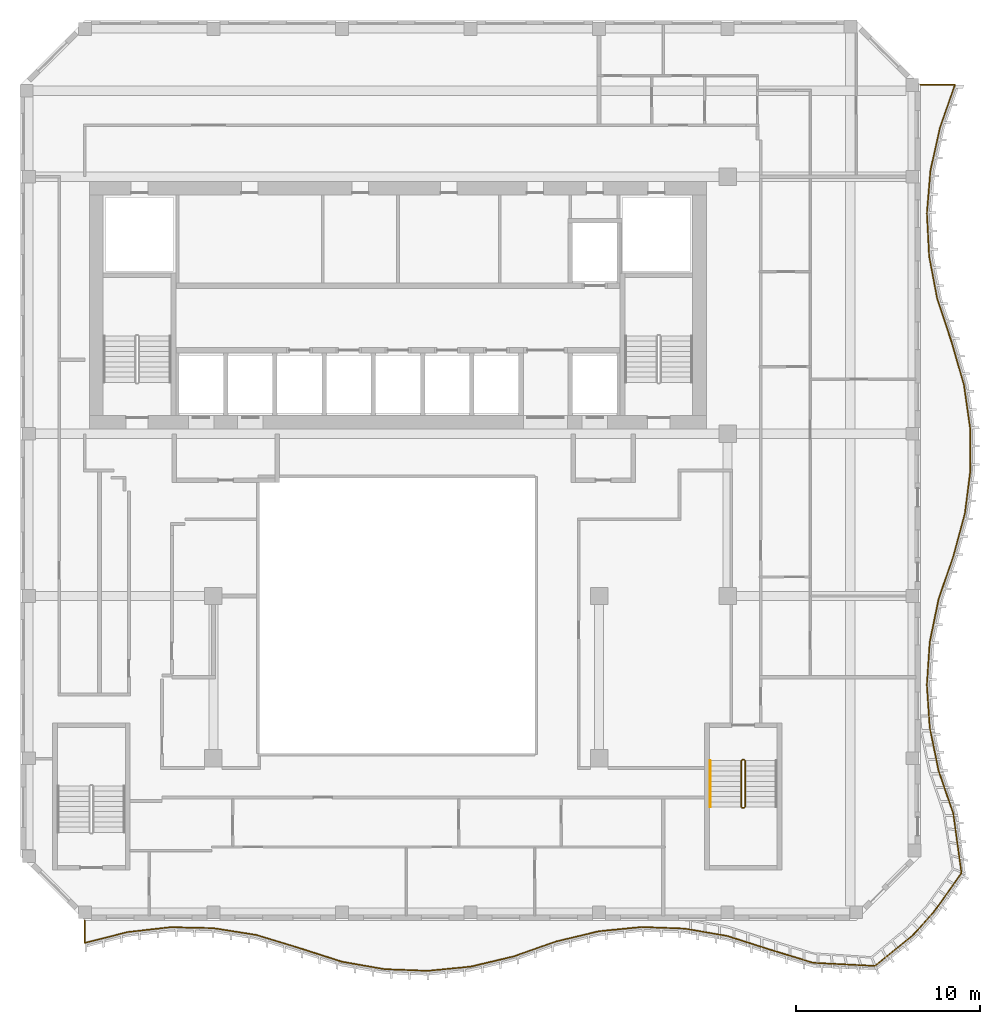
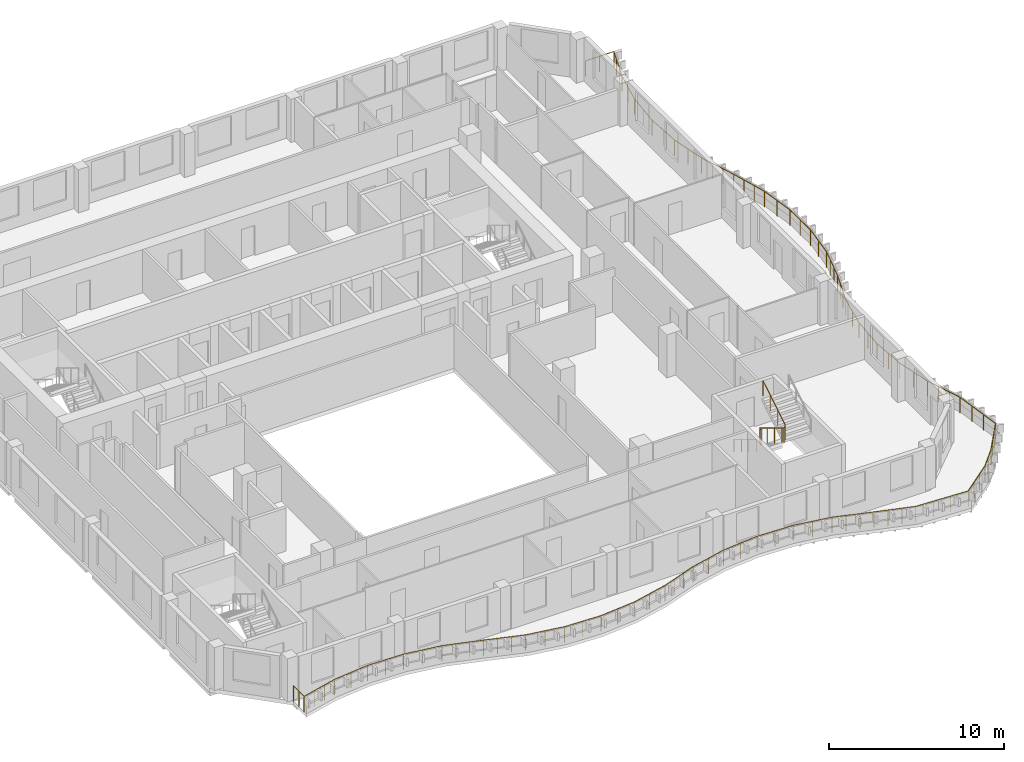
# One storey, part 12 of 13: 3 railings.
"""IFC4 building model written with IfcOpenShell, lengths in metres."""

from ifc_helpers import new_model, si_unit, direction, frame, origin, origin_2d, place, context, subcontext, project, spatial, circle, extrude, material, type_object, element, save


model = new_model("IFC4")

# Units and contexts
model_context = context("Model", 3, precision=1e-05, world=origin(), true_north=direction((0.0, 1.0)))
body_context = subcontext(model_context, "Body", "Model", "MODEL_VIEW")
ifc_project = project(units=[si_unit("LENGTHUNIT", "METRE"), si_unit("AREAUNIT", "SQUARE_METRE"), si_unit("VOLUMEUNIT", "CUBIC_METRE"), si_unit("PLANEANGLEUNIT", "RADIAN"), si_unit("MASSUNIT", "GRAM", prefix="KILO")], contexts=[model_context])

# Site, building, storey
site_placement = place(None, origin())
site = spatial("IfcSite", under=ifc_project, at=site_placement, CompositionType="ELEMENT")
building_placement = place(site_placement, origin())
building = spatial("IfcBuilding", under=site, at=building_placement, Name="Kilnfold Tower and Market Hall", CompositionType="ELEMENT")
storey_placement = place(building_placement, frame((0.0, 0.0, 259.39990234375)))
storey = spatial("IfcBuildingStorey", under=building, at=storey_placement, Name="L63", CompositionType="ELEMENT", Elevation=259.39990234375)

# Railings
ifc_material_1 = material(Name="Stainless steel 316", Category="steel")
railing_type_1 = type_object("IfcRailingType", Name="CORE STAIR GUARD 1100", PredefinedType="GUARDRAIL", material=ifc_material_1)
railing_1_placement = place(storey_placement, frame((19.89990234375, -9.75, 0.0)))
element("IfcRailing", 1, at=railing_1_placement, inside=storey, type_object=railing_type_1, Name="L63 ST4 stair guard 1", PredefinedType="GUARDRAIL", context=body_context, shape_type="SweptSolid", body=[
    extrude(circle(Radius=0.02392578125, at=origin_2d()), frame((0.0, 0.0, 1.076171875), z_axis=(-1.0, 0.0, 0.0), x_axis=(0.0, -1.0, 0.0)), (0.0, 0.0, 1.0), 0.099853515625),
    extrude(circle(Radius=0.02392578125, at=origin_2d()), frame((-0.099853515625, 0.0, 1.076171875), z_axis=(-0.271562723297, -0.271562723297, 0.923313259209), x_axis=(0.707106781187, -0.707106781187, 0.0)), (0.0, 0.0, 1.0), 0.184326171875),
    extrude(circle(Radius=0.02392578125, at=origin_2d()), frame((-0.14990234375, -0.050048828125, 1.24609375), z_axis=(0.0, -0.85478489116, 0.518982456201), x_axis=(1.0, 0.0, 0.0)), (0.0, 0.0, 1.0), 2.9482421875),
    extrude(circle(Radius=0.02392578125, at=origin_2d()), frame((-0.14990234375, -2.570068359375, 2.7763671875), z_axis=(0.707106781187, -0.707106781187, 0.0), x_axis=(0.707106781187, 0.707106781187, 0.0)), (0.0, 0.0, 1.0), 0.07080078125),
    extrude(circle(Radius=0.02392578125, at=origin_2d()), frame((-0.099853515625, -2.6201171875, 2.7763671875), z_axis=(1.0, 0.0, 0.0), x_axis=(0.0, 1.0, 0.0)), (0.0, 0.0, 1.0), 0.099853515625),
    extrude(circle(Radius=0.02392578125, at=origin_2d()), frame((0.0, -2.6201171875, 2.7763671875), z_axis=(0.271895245746, 0.271895245746, 0.923117517265), x_axis=(-0.707106781187, 0.707106781187, 0.0)), (0.0, 0.0, 1.0), 0.18408203125),
    extrude(circle(Radius=0.02392578125, at=origin_2d()), frame((0.050048828125, -2.570068359375, 2.9462890625), z_axis=(0.0, 0.85478489116, 0.518982456201), x_axis=(-1.0, 0.0, 0.0)), (0.0, 0.0, 1.0), 2.9482421875),
    extrude(circle(Radius=0.02099609375, at=origin_2d()), origin(), (0.0, 0.0, 1.0), 1.052001953125),
    extrude(circle(Radius=0.02099609375, at=origin_2d()), frame((-0.099853515625, 0.0, 0.0)), (0.0, 0.0, 1.0), 1.052001953125),
    extrude(circle(Radius=0.02099609375, at=origin_2d()), frame((-0.14990234375, -0.050048828125, 0.170166015625)), (0.0, 0.0, 1.0), 1.052001953125),
    extrude(circle(Radius=0.02099609375, at=origin_2d()), frame((-0.14990234375, -0.89013671875, 0.68017578125)), (0.0, 0.0, 1.0), 1.052001953125),
    extrude(circle(Radius=0.02099609375, at=origin_2d()), frame((-0.14990234375, -1.72998046875, 1.190185546875)), (0.0, 0.0, 1.0), 1.052001953125),
    extrude(circle(Radius=0.02099609375, at=origin_2d()), frame((-0.14990234375, -2.570068359375, 1.7001953125)), (0.0, 0.0, 1.0), 1.052001953125),
    extrude(circle(Radius=0.02099609375, at=origin_2d()), frame((-0.099853515625, -2.6201171875, 1.7001953125)), (0.0, 0.0, 1.0), 1.052001953125),
    extrude(circle(Radius=0.02099609375, at=origin_2d()), frame((0.0, -2.6201171875, 1.7001953125)), (0.0, 0.0, 1.0), 1.052001953125),
    extrude(circle(Radius=0.02099609375, at=origin_2d()), frame((0.050048828125, -2.570068359375, 1.8701171875)), (0.0, 0.0, 1.0), 1.052001953125),
    extrude(circle(Radius=0.02099609375, at=origin_2d()), frame((0.050048828125, -1.72998046875, 2.380126953125)), (0.0, 0.0, 1.0), 1.052001953125),
    extrude(circle(Radius=0.02099609375, at=origin_2d()), frame((0.050048828125, -0.89013671875, 2.89013671875)), (0.0, 0.0, 1.0), 1.052001953125),
    extrude(circle(Radius=0.02099609375, at=origin_2d()), frame((0.050048828125, -0.050048828125, 3.400146484375)), (0.0, 0.0, 1.0), 1.052001953125),
])
ifc_material_2 = material(Name="Stainless steel 316", Category="steel")
railing_type_2 = type_object("IfcRailingType", Name="CORE STAIR HANDRAIL 900", PredefinedType="HANDRAIL", material=ifc_material_2)
railing_2_placement = place(storey_placement, frame((18.050048828125, -9.800048828125, 0.170166015625)))
element("IfcRailing", 2, at=railing_2_placement, inside=storey, type_object=railing_type_2, Name="L63 ST4 stair handrail 1", PredefinedType="HANDRAIL", context=body_context, shape_type="SweptSolid", body=[
    extrude(circle(Radius=0.02392578125, at=origin_2d()), frame((0.0, 0.0, 0.8759765625), z_axis=(0.0, -0.85478489116, 0.518982456201), x_axis=(1.0, 0.0, 0.0)), (0.0, 0.0, 1.0), 2.9482421875),
    extrude(circle(Radius=0.02099609375, at=origin_2d()), origin(), (0.0, 0.0, 1.0), 0.851806640625),
    extrude(circle(Radius=0.02099609375, at=origin_2d()), frame((0.0, -0.840087890625, 0.510009765625)), (0.0, 0.0, 1.0), 0.851806640625),
    extrude(circle(Radius=0.02099609375, at=origin_2d()), frame((0.0, -1.679931640625, 1.02001953125)), (0.0, 0.0, 1.0), 0.851806640625),
    extrude(circle(Radius=0.02099609375, at=origin_2d()), frame((0.0, -2.52001953125, 1.530029296875)), (0.0, 0.0, 1.0), 0.851806640625),
])
ifc_material_3 = material(Name="Stainless steel and laminated glass", Category="steel")
railing_type_3 = type_object("IfcRailingType", Name="GUARD 1100", PredefinedType="GUARDRAIL", material=ifc_material_3)
railing_3_placement = place(storey_placement, frame((-16.0, -18.5, 0.0)))
element("IfcRailing", 3, at=railing_3_placement, inside=storey, type_object=railing_type_3, Name="Guard balcony L63", PredefinedType="GUARDRAIL", context=body_context, shape_type="SweptSolid", body=[
    extrude(circle(Radius=0.02490234375, at=origin_2d()), frame((0.0, 0.0, 1.0751953125), z_axis=(0.0, -1.0, 0.0), x_axis=(1.0, 0.0, 0.0)), (0.0, 0.0, 1.0), 1.22314453125),
    extrude(circle(Radius=0.02490234375, at=origin_2d()), frame((0.0, -1.22314453125, 1.0751953125), z_axis=(0.969210795342, 0.246232479972, 0.0), x_axis=(-0.246232479972, 0.969210795342, 0.0)), (0.0, 0.0, 1.0), 2.407470703125),
    extrude(circle(Radius=0.02490234375, at=origin_2d()), frame((2.333251953125, -0.63037109375, 1.0751953125), z_axis=(0.993711376548, 0.111971871997, 0.0), x_axis=(-0.111971871997, 0.993711376548, 0.0)), (0.0, 0.0, 1.0), 2.34814453125),
    extrude(circle(Radius=0.02490234375, at=origin_2d()), frame((4.666748046875, -0.367431640625, 1.0751953125), z_axis=(0.999751729978, -0.022281795384, 0.0), x_axis=(0.022281795384, 0.999751729978, 0.0)), (0.0, 0.0, 1.0), 2.333740234375),
    extrude(circle(Radius=0.02490234375, at=origin_2d()), frame((7.0, -0.41943359375, 1.0751953125), z_axis=(0.987667255848, -0.156567530879, 0.0), x_axis=(0.156567530879, 0.987667255848, 0.0)), (0.0, 0.0, 1.0), 2.3623046875),
    extrude(circle(Radius=0.02490234375, at=origin_2d()), frame((9.333251953125, -0.789306640625, 1.0751953125), z_axis=(0.956784132843, -0.290799111311, 0.0), x_axis=(0.290799111311, 0.956784132843, 0.0)), (0.0, 0.0, 1.0), 2.43896484375),
    extrude(circle(Radius=0.02490234375, at=origin_2d()), frame((11.666748046875, -1.49853515625, 1.0751953125), z_axis=(0.952112486546, -0.305747956598, 0.0), x_axis=(0.305747956598, 0.952112486546, 0.0)), (0.0, 0.0, 1.0), 2.45068359375),
    extrude(circle(Radius=0.02490234375, at=origin_2d()), frame((14.0, -2.247802734375, 1.0751953125), z_axis=(0.985126142804, -0.171832717386, 0.0), x_axis=(0.171832717386, 0.985126142804, 0.0)), (0.0, 0.0, 1.0), 2.368408203125),
    extrude(circle(Radius=0.02490234375, at=origin_2d()), frame((16.333251953125, -2.65478515625, 1.0751953125), z_axis=(0.999295362698, -0.03753369274, 0.0), x_axis=(0.03753369274, 0.999295362698, 0.0)), (0.0, 0.0, 1.0), 2.335205078125),
    extrude(circle(Radius=0.02490234375, at=origin_2d()), frame((18.666748046875, -2.742431640625, 1.0751953125), z_axis=(0.99531871754, 0.0966470409, 0.0), x_axis=(-0.0966470409, 0.99531871754, 0.0)), (0.0, 0.0, 1.0), 2.34423828125),
    extrude(circle(Radius=0.02490234375, at=origin_2d()), frame((21.0, -2.515869140625, 1.0751953125), z_axis=(0.972954571885, 0.23099653904, 0.0), x_axis=(-0.23099653904, 0.972954571885, 0.0)), (0.0, 0.0, 1.0), 2.398193359375),
    extrude(circle(Radius=0.02490234375, at=origin_2d()), frame((23.333251953125, -1.9619140625, 1.0751953125), z_axis=(0.943466814234, 0.33146699751, 0.0), x_axis=(-0.33146699751, 0.943466814234, 0.0)), (0.0, 0.0, 1.0), 2.473388671875),
    extrude(circle(Radius=0.02490234375, at=origin_2d()), frame((25.666748046875, -1.14208984375, 1.0751953125), z_axis=(0.972794199694, 0.231670984462, 0.0), x_axis=(-0.231670984462, 0.972794199694, 0.0)), (0.0, 0.0, 1.0), 2.3984375),
    extrude(circle(Radius=0.02490234375, at=origin_2d()), frame((28.0, -0.58642578125, 1.0751953125), z_axis=(0.995238235947, 0.097472322784, 0.0), x_axis=(-0.097472322784, 0.995238235947, 0.0)), (0.0, 0.0, 1.0), 2.344482421875),
    extrude(circle(Radius=0.02490234375, at=origin_2d()), frame((30.333251953125, -0.35791015625, 1.0751953125), z_axis=(0.999322546045, -0.036802839109, 0.0), x_axis=(0.036802839109, 0.999322546045, 0.0)), (0.0, 0.0, 1.0), 2.3349609375),
    extrude(circle(Radius=0.02490234375, at=origin_2d()), frame((32.666748046875, -0.44384765625, 1.0751953125), z_axis=(0.985248051256, -0.171132339132, 0.0), x_axis=(0.171132339132, 0.985248051256, 0.0)), (0.0, 0.0, 1.0), 2.3681640625),
    extrude(circle(Radius=0.02490234375, at=origin_2d()), frame((35.0, -0.84912109375, 1.0751953125), z_axis=(0.952344279723, -0.305025200401, 0.0), x_axis=(0.305025200401, 0.952344279723, 0.0)), (0.0, 0.0, 1.0), 2.449951171875),
    extrude(circle(Radius=0.02490234375, at=origin_2d()), frame((37.333251953125, -1.596435546875, 1.0751953125), z_axis=(0.956561089295, -0.291531957849, 0.0), x_axis=(0.291531957849, 0.956561089295, 0.0)), (0.0, 0.0, 1.0), 2.439453125),
    extrude(circle(Radius=0.02490234375, at=origin_2d()), frame((39.666748046875, -2.3076171875, 1.0751953125), z_axis=(0.998755414778, -0.049876060911, 0.0), x_axis=(0.049876060911, 0.998755414778, 0.0)), (0.0, 0.0, 1.0), 3.36279296875),
    extrude(circle(Radius=0.02490234375, at=origin_2d()), frame((43.025390625, -2.475341796875, 1.0751953125), z_axis=(0.775544431889, 0.631292985995, 0.0), x_axis=(-0.631292985995, 0.775544431889, 0.0)), (0.0, 0.0, 1.0), 2.689208984375),
    extrude(circle(Radius=0.02490234375, at=origin_2d()), frame((45.111083984375, -0.777587890625, 1.0751953125), z_axis=(0.669274920108, 0.743014859417, 0.0), x_axis=(-0.743014859417, 0.669274920108, 0.0)), (0.0, 0.0, 1.0), 1.652099609375),
    extrude(circle(Radius=0.02490234375, at=origin_2d()), frame((46.216796875, 0.449951171875, 1.0751953125), z_axis=(0.581255884594, 0.813720834577, 0.0), x_axis=(-0.813720834577, 0.581255884594, 0.0)), (0.0, 0.0, 1.0), 2.61083984375),
    extrude(circle(Radius=0.02490234375, at=origin_2d()), frame((47.734375, 2.574462890625, 1.0751953125), z_axis=(-0.136484199421, 0.990642247892, 0.0), x_axis=(-0.990642247892, -0.136484199421, 0.0)), (0.0, 0.0, 1.0), 3.28955078125),
    extrude(circle(Radius=0.02490234375, at=origin_2d()), frame((47.285400390625, 5.833251953125, 1.0751953125), z_axis=(-0.324675962181, 0.945825311346, 0.0), x_axis=(-0.945825311346, -0.324675962181, 0.0)), (0.0, 0.0, 1.0), 2.467041015625),
    extrude(circle(Radius=0.02490234375, at=origin_2d()), frame((46.484375, 8.166748046875, 1.0751953125), z_axis=(-0.200903789477, 0.979610977569, 0.0), x_axis=(-0.979610977569, -0.200903789477, 0.0)), (0.0, 0.0, 1.0), 2.3818359375),
    extrude(circle(Radius=0.02490234375, at=origin_2d()), frame((46.005859375, 10.5, 1.0751953125), z_axis=(-0.066609092458, 0.99777914831, 0.0), x_axis=(-0.99777914831, -0.066609092458, 0.0)), (0.0, 0.0, 1.0), 2.33837890625),
    extrude(circle(Radius=0.02490234375, at=origin_2d()), frame((45.85009765625, 12.833251953125, 1.0751953125), z_axis=(0.067641335737, 0.997709702118, 0.0), x_axis=(-0.997709702118, 0.067641335737, 0.0)), (0.0, 0.0, 1.0), 2.3388671875),
    extrude(circle(Radius=0.02490234375, at=origin_2d()), frame((46.00830078125, 15.166748046875, 1.0751953125), z_axis=(0.201887132384, 0.979408794007, 0.0), x_axis=(-0.979408794007, 0.201887132384, 0.0)), (0.0, 0.0, 1.0), 2.38232421875),
    extrude(circle(Radius=0.02490234375, at=origin_2d()), frame((46.4892578125, 17.5, 1.0751953125), z_axis=(0.325148902844, 0.945662831552, 0.0), x_axis=(-0.945662831552, 0.325148902844, 0.0)), (0.0, 0.0, 1.0), 2.46728515625),
    extrude(circle(Radius=0.02490234375, at=origin_2d()), frame((47.29150390625, 19.833251953125, 1.0751953125), z_axis=(0.260791998998, 0.965395014105, 0.0), x_axis=(-0.965395014105, 0.260791998998, 0.0)), (0.0, 0.0, 1.0), 2.417236328125),
    extrude(circle(Radius=0.02490234375, at=origin_2d()), frame((47.921875, 22.166748046875, 1.0751953125), z_axis=(0.12652541005, 0.991963366567, 0.0), x_axis=(-0.991963366567, 0.12652541005, 0.0)), (0.0, 0.0, 1.0), 2.35205078125),
    extrude(circle(Radius=0.02490234375, at=origin_2d()), frame((48.219482421875, 24.5, 1.0751953125), z_axis=(-0.007742783488, 0.999970024203, 0.0), x_axis=(-0.999970024203, -0.007742783488, 0.0)), (0.0, 0.0, 1.0), 2.333251953125),
    extrude(circle(Radius=0.02490234375, at=origin_2d()), frame((48.201416015625, 26.833251953125, 1.0751953125), z_axis=(-0.142088269079, 0.989853991147, 0.0), x_axis=(-0.989853991147, -0.142088269079, 0.0)), (0.0, 0.0, 1.0), 2.357421875),
    extrude(circle(Radius=0.02490234375, at=origin_2d()), frame((47.866455078125, 29.166748046875, 1.0751953125), z_axis=(-0.276248209535, 0.961086326366, 0.0), x_axis=(-0.961086326366, -0.276248209535, 0.0)), (0.0, 0.0, 1.0), 2.427734375),
    extrude(circle(Radius=0.02490234375, at=origin_2d()), frame((47.19580078125, 31.5, 1.0751953125), z_axis=(-0.31688269402, 0.948464737473, 0.0), x_axis=(-0.948464737473, -0.31688269402, 0.0)), (0.0, 0.0, 1.0), 2.4599609375),
    extrude(circle(Radius=0.02490234375, at=origin_2d()), frame((46.416259765625, 33.833251953125, 1.0751953125), z_axis=(-0.186361022834, 0.982481332733, 0.0), x_axis=(-0.982481332733, -0.186361022834, 0.0)), (0.0, 0.0, 1.0), 2.375),
    extrude(circle(Radius=0.02490234375, at=origin_2d()), frame((45.9736328125, 36.166748046875, 1.0751953125), z_axis=(-0.052037801365, 0.998645115759, 0.0), x_axis=(-0.998645115759, -0.052037801365, 0.0)), (0.0, 0.0, 1.0), 2.33642578125),
    extrude(circle(Radius=0.02490234375, at=origin_2d()), frame((45.85205078125, 38.5, 1.0751953125), z_axis=(0.082070220192, 0.996626549394, 0.0), x_axis=(-0.996626549394, 0.082070220192, 0.0)), (0.0, 0.0, 1.0), 2.341064453125),
    extrude(circle(Radius=0.02490234375, at=origin_2d()), frame((46.044189453125, 40.833251953125, 1.0751953125), z_axis=(0.216443743375, 0.976295091637, 0.0), x_axis=(-0.976295091637, 0.216443743375, 0.0)), (0.0, 0.0, 1.0), 2.39013671875),
    extrude(circle(Radius=0.02490234375, at=origin_2d()), frame((46.5615234375, 43.166748046875, 1.0751953125), z_axis=(0.329914803276, 0.944010711051, 0.0), x_axis=(-0.944010711051, 0.329914803276, 0.0)), (0.0, 0.0, 1.0), 2.4716796875),
    extrude(circle(Radius=0.02490234375, at=origin_2d()), frame((47.376953125, 45.5, 1.0751953125), z_axis=(-1.0, 0.0, 0.0), x_axis=(0.0, -1.0, 0.0)), (0.0, 0.0, 1.0), 1.876953125),
    extrude(circle(Radius=0.02490234375, at=origin_2d()), origin(), (0.0, 0.0, 1.0), 1.050048828125),
    extrude(circle(Radius=0.02490234375, at=origin_2d()), frame((0.0, -0.611572265625, 0.0)), (0.0, 0.0, 1.0), 1.050048828125),
    extrude(circle(Radius=0.02490234375, at=origin_2d()), frame((0.0, -1.22314453125, 0.0)), (0.0, 0.0, 1.0), 1.050048828125),
    extrude(circle(Radius=0.02490234375, at=origin_2d()), frame((0.77783203125, -1.025634765625, 0.0)), (0.0, 0.0, 1.0), 1.050048828125),
    extrude(circle(Radius=0.02490234375, at=origin_2d()), frame((1.555419921875, -0.827880859375, 0.0)), (0.0, 0.0, 1.0), 1.050048828125),
    extrude(circle(Radius=0.02490234375, at=origin_2d()), frame((2.333251953125, -0.63037109375, 0.0)), (0.0, 0.0, 1.0), 1.050048828125),
    extrude(circle(Radius=0.02490234375, at=origin_2d()), frame((3.5, -0.4990234375, 0.0)), (0.0, 0.0, 1.0), 1.050048828125),
    extrude(circle(Radius=0.02490234375, at=origin_2d()), frame((4.666748046875, -0.367431640625, 0.0)), (0.0, 0.0, 1.0), 1.050048828125),
    extrude(circle(Radius=0.02490234375, at=origin_2d()), frame((5.83349609375, -0.3935546875, 0.0)), (0.0, 0.0, 1.0), 1.050048828125),
    extrude(circle(Radius=0.02490234375, at=origin_2d()), frame((7.0, -0.41943359375, 0.0)), (0.0, 0.0, 1.0), 1.050048828125),
    extrude(circle(Radius=0.02490234375, at=origin_2d()), frame((8.16650390625, -0.6044921875, 0.0)), (0.0, 0.0, 1.0), 1.050048828125),
    extrude(circle(Radius=0.02490234375, at=origin_2d()), frame((9.333251953125, -0.789306640625, 0.0)), (0.0, 0.0, 1.0), 1.050048828125),
    extrude(circle(Radius=0.02490234375, at=origin_2d()), frame((10.111083984375, -1.025634765625, 0.0)), (0.0, 0.0, 1.0), 1.050048828125),
    extrude(circle(Radius=0.02490234375, at=origin_2d()), frame((10.888916015625, -1.26220703125, 0.0)), (0.0, 0.0, 1.0), 1.050048828125),
    extrude(circle(Radius=0.02490234375, at=origin_2d()), frame((11.666748046875, -1.49853515625, 0.0)), (0.0, 0.0, 1.0), 1.050048828125),
    extrude(circle(Radius=0.02490234375, at=origin_2d()), frame((12.444580078125, -1.748291015625, 0.0)), (0.0, 0.0, 1.0), 1.050048828125),
    extrude(circle(Radius=0.02490234375, at=origin_2d()), frame((13.22216796875, -1.998046875, 0.0)), (0.0, 0.0, 1.0), 1.050048828125),
    extrude(circle(Radius=0.02490234375, at=origin_2d()), frame((14.0, -2.247802734375, 0.0)), (0.0, 0.0, 1.0), 1.050048828125),
    extrude(circle(Radius=0.02490234375, at=origin_2d()), frame((15.16650390625, -2.451171875, 0.0)), (0.0, 0.0, 1.0), 1.050048828125),
    extrude(circle(Radius=0.02490234375, at=origin_2d()), frame((16.333251953125, -2.65478515625, 0.0)), (0.0, 0.0, 1.0), 1.050048828125),
    extrude(circle(Radius=0.02490234375, at=origin_2d()), frame((17.5, -2.69873046875, 0.0)), (0.0, 0.0, 1.0), 1.050048828125),
    extrude(circle(Radius=0.02490234375, at=origin_2d()), frame((18.666748046875, -2.742431640625, 0.0)), (0.0, 0.0, 1.0), 1.050048828125),
    extrude(circle(Radius=0.02490234375, at=origin_2d()), frame((19.83349609375, -2.629150390625, 0.0)), (0.0, 0.0, 1.0), 1.050048828125),
    extrude(circle(Radius=0.02490234375, at=origin_2d()), frame((21.0, -2.515869140625, 0.0)), (0.0, 0.0, 1.0), 1.050048828125),
    extrude(circle(Radius=0.02490234375, at=origin_2d()), frame((22.16650390625, -2.23876953125, 0.0)), (0.0, 0.0, 1.0), 1.050048828125),
    extrude(circle(Radius=0.02490234375, at=origin_2d()), frame((23.333251953125, -1.9619140625, 0.0)), (0.0, 0.0, 1.0), 1.050048828125),
    extrude(circle(Radius=0.02490234375, at=origin_2d()), frame((24.111083984375, -1.688720703125, 0.0)), (0.0, 0.0, 1.0), 1.050048828125),
    extrude(circle(Radius=0.02490234375, at=origin_2d()), frame((24.888916015625, -1.415283203125, 0.0)), (0.0, 0.0, 1.0), 1.050048828125),
    extrude(circle(Radius=0.02490234375, at=origin_2d()), frame((25.666748046875, -1.14208984375, 0.0)), (0.0, 0.0, 1.0), 1.050048828125),
    extrude(circle(Radius=0.02490234375, at=origin_2d()), frame((26.83349609375, -0.8642578125, 0.0)), (0.0, 0.0, 1.0), 1.050048828125),
    extrude(circle(Radius=0.02490234375, at=origin_2d()), frame((28.0, -0.58642578125, 0.0)), (0.0, 0.0, 1.0), 1.050048828125),
    extrude(circle(Radius=0.02490234375, at=origin_2d()), frame((29.16650390625, -0.47216796875, 0.0)), (0.0, 0.0, 1.0), 1.050048828125),
    extrude(circle(Radius=0.02490234375, at=origin_2d()), frame((30.333251953125, -0.35791015625, 0.0)), (0.0, 0.0, 1.0), 1.050048828125),
    extrude(circle(Radius=0.02490234375, at=origin_2d()), frame((31.5, -0.40087890625, 0.0)), (0.0, 0.0, 1.0), 1.050048828125),
    extrude(circle(Radius=0.02490234375, at=origin_2d()), frame((32.666748046875, -0.44384765625, 0.0)), (0.0, 0.0, 1.0), 1.050048828125),
    extrude(circle(Radius=0.02490234375, at=origin_2d()), frame((33.83349609375, -0.646484375, 0.0)), (0.0, 0.0, 1.0), 1.050048828125),
    extrude(circle(Radius=0.02490234375, at=origin_2d()), frame((35.0, -0.84912109375, 0.0)), (0.0, 0.0, 1.0), 1.050048828125),
    extrude(circle(Radius=0.02490234375, at=origin_2d()), frame((35.77783203125, -1.09814453125, 0.0)), (0.0, 0.0, 1.0), 1.050048828125),
    extrude(circle(Radius=0.02490234375, at=origin_2d()), frame((36.555419921875, -1.347412109375, 0.0)), (0.0, 0.0, 1.0), 1.050048828125),
    extrude(circle(Radius=0.02490234375, at=origin_2d()), frame((37.333251953125, -1.596435546875, 0.0)), (0.0, 0.0, 1.0), 1.050048828125),
    extrude(circle(Radius=0.02490234375, at=origin_2d()), frame((38.111083984375, -1.83349609375, 0.0)), (0.0, 0.0, 1.0), 1.050048828125),
    extrude(circle(Radius=0.02490234375, at=origin_2d()), frame((38.888916015625, -2.070556640625, 0.0)), (0.0, 0.0, 1.0), 1.050048828125),
    extrude(circle(Radius=0.02490234375, at=origin_2d()), frame((39.666748046875, -2.3076171875, 0.0)), (0.0, 0.0, 1.0), 1.050048828125),
    extrude(circle(Radius=0.02490234375, at=origin_2d()), frame((40.786376953125, -2.363525390625, 0.0)), (0.0, 0.0, 1.0), 1.050048828125),
    extrude(circle(Radius=0.02490234375, at=origin_2d()), frame((41.90576171875, -2.41943359375, 0.0)), (0.0, 0.0, 1.0), 1.050048828125),
    extrude(circle(Radius=0.02490234375, at=origin_2d()), frame((43.025390625, -2.475341796875, 0.0)), (0.0, 0.0, 1.0), 1.050048828125),
    extrude(circle(Radius=0.02490234375, at=origin_2d()), frame((43.720703125, -1.909423828125, 0.0)), (0.0, 0.0, 1.0), 1.050048828125),
    extrude(circle(Radius=0.02490234375, at=origin_2d()), frame((44.415771484375, -1.343505859375, 0.0)), (0.0, 0.0, 1.0), 1.050048828125),
    extrude(circle(Radius=0.02490234375, at=origin_2d()), frame((45.111083984375, -0.777587890625, 0.0)), (0.0, 0.0, 1.0), 1.050048828125),
    extrude(circle(Radius=0.02490234375, at=origin_2d()), frame((45.6640625, -0.163818359375, 0.0)), (0.0, 0.0, 1.0), 1.050048828125),
    extrude(circle(Radius=0.02490234375, at=origin_2d()), frame((46.216796875, 0.449951171875, 0.0)), (0.0, 0.0, 1.0), 1.050048828125),
    extrude(circle(Radius=0.02490234375, at=origin_2d()), frame((46.72265625, 1.158203125, 0.0)), (0.0, 0.0, 1.0), 1.050048828125),
    extrude(circle(Radius=0.02490234375, at=origin_2d()), frame((47.228515625, 1.8662109375, 0.0)), (0.0, 0.0, 1.0), 1.050048828125),
    extrude(circle(Radius=0.02490234375, at=origin_2d()), frame((47.734375, 2.574462890625, 0.0)), (0.0, 0.0, 1.0), 1.050048828125),
    extrude(circle(Radius=0.02490234375, at=origin_2d()), frame((47.584716796875, 3.66064453125, 0.0)), (0.0, 0.0, 1.0), 1.050048828125),
    extrude(circle(Radius=0.02490234375, at=origin_2d()), frame((47.43505859375, 4.7470703125, 0.0)), (0.0, 0.0, 1.0), 1.050048828125),
    extrude(circle(Radius=0.02490234375, at=origin_2d()), frame((47.285400390625, 5.833251953125, 0.0)), (0.0, 0.0, 1.0), 1.050048828125),
    extrude(circle(Radius=0.02490234375, at=origin_2d()), frame((47.018310546875, 6.611083984375, 0.0)), (0.0, 0.0, 1.0), 1.050048828125),
    extrude(circle(Radius=0.02490234375, at=origin_2d()), frame((46.75146484375, 7.388916015625, 0.0)), (0.0, 0.0, 1.0), 1.050048828125),
    extrude(circle(Radius=0.02490234375, at=origin_2d()), frame((46.484375, 8.166748046875, 0.0)), (0.0, 0.0, 1.0), 1.050048828125),
    extrude(circle(Radius=0.02490234375, at=origin_2d()), frame((46.2451171875, 9.33349609375, 0.0)), (0.0, 0.0, 1.0), 1.050048828125),
    extrude(circle(Radius=0.02490234375, at=origin_2d()), frame((46.005859375, 10.5, 0.0)), (0.0, 0.0, 1.0), 1.050048828125),
    extrude(circle(Radius=0.02490234375, at=origin_2d()), frame((45.927978515625, 11.66650390625, 0.0)), (0.0, 0.0, 1.0), 1.050048828125),
    extrude(circle(Radius=0.02490234375, at=origin_2d()), frame((45.85009765625, 12.833251953125, 0.0)), (0.0, 0.0, 1.0), 1.050048828125),
    extrude(circle(Radius=0.02490234375, at=origin_2d()), frame((45.92919921875, 14.0, 0.0)), (0.0, 0.0, 1.0), 1.050048828125),
    extrude(circle(Radius=0.02490234375, at=origin_2d()), frame((46.00830078125, 15.166748046875, 0.0)), (0.0, 0.0, 1.0), 1.050048828125),
    extrude(circle(Radius=0.02490234375, at=origin_2d()), frame((46.248779296875, 16.33349609375, 0.0)), (0.0, 0.0, 1.0), 1.050048828125),
    extrude(circle(Radius=0.02490234375, at=origin_2d()), frame((46.4892578125, 17.5, 0.0)), (0.0, 0.0, 1.0), 1.050048828125),
    extrude(circle(Radius=0.02490234375, at=origin_2d()), frame((46.756591796875, 18.27783203125, 0.0)), (0.0, 0.0, 1.0), 1.050048828125),
    extrude(circle(Radius=0.02490234375, at=origin_2d()), frame((47.024169921875, 19.055419921875, 0.0)), (0.0, 0.0, 1.0), 1.050048828125),
    extrude(circle(Radius=0.02490234375, at=origin_2d()), frame((47.29150390625, 19.833251953125, 0.0)), (0.0, 0.0, 1.0), 1.050048828125),
    extrude(circle(Radius=0.02490234375, at=origin_2d()), frame((47.501708984375, 20.611083984375, 0.0)), (0.0, 0.0, 1.0), 1.050048828125),
    extrude(circle(Radius=0.02490234375, at=origin_2d()), frame((47.711669921875, 21.388916015625, 0.0)), (0.0, 0.0, 1.0), 1.050048828125),
    extrude(circle(Radius=0.02490234375, at=origin_2d()), frame((47.921875, 22.166748046875, 0.0)), (0.0, 0.0, 1.0), 1.050048828125),
    extrude(circle(Radius=0.02490234375, at=origin_2d()), frame((48.07080078125, 23.33349609375, 0.0)), (0.0, 0.0, 1.0), 1.050048828125),
    extrude(circle(Radius=0.02490234375, at=origin_2d()), frame((48.219482421875, 24.5, 0.0)), (0.0, 0.0, 1.0), 1.050048828125),
    extrude(circle(Radius=0.02490234375, at=origin_2d()), frame((48.21044921875, 25.66650390625, 0.0)), (0.0, 0.0, 1.0), 1.050048828125),
    extrude(circle(Radius=0.02490234375, at=origin_2d()), frame((48.201416015625, 26.833251953125, 0.0)), (0.0, 0.0, 1.0), 1.050048828125),
    extrude(circle(Radius=0.02490234375, at=origin_2d()), frame((48.033935546875, 28.0, 0.0)), (0.0, 0.0, 1.0), 1.050048828125),
    extrude(circle(Radius=0.02490234375, at=origin_2d()), frame((47.866455078125, 29.166748046875, 0.0)), (0.0, 0.0, 1.0), 1.050048828125),
    extrude(circle(Radius=0.02490234375, at=origin_2d()), frame((47.642822265625, 29.944580078125, 0.0)), (0.0, 0.0, 1.0), 1.050048828125),
    extrude(circle(Radius=0.02490234375, at=origin_2d()), frame((47.41943359375, 30.72216796875, 0.0)), (0.0, 0.0, 1.0), 1.050048828125),
    extrude(circle(Radius=0.02490234375, at=origin_2d()), frame((47.19580078125, 31.5, 0.0)), (0.0, 0.0, 1.0), 1.050048828125),
    extrude(circle(Radius=0.02490234375, at=origin_2d()), frame((46.93603515625, 32.27783203125, 0.0)), (0.0, 0.0, 1.0), 1.050048828125),
    extrude(circle(Radius=0.02490234375, at=origin_2d()), frame((46.676025390625, 33.055419921875, 0.0)), (0.0, 0.0, 1.0), 1.050048828125),
    extrude(circle(Radius=0.02490234375, at=origin_2d()), frame((46.416259765625, 33.833251953125, 0.0)), (0.0, 0.0, 1.0), 1.050048828125),
    extrude(circle(Radius=0.02490234375, at=origin_2d()), frame((46.19482421875, 35.0, 0.0)), (0.0, 0.0, 1.0), 1.050048828125),
    extrude(circle(Radius=0.02490234375, at=origin_2d()), frame((45.9736328125, 36.166748046875, 0.0)), (0.0, 0.0, 1.0), 1.050048828125),
    extrude(circle(Radius=0.02490234375, at=origin_2d()), frame((45.912841796875, 37.33349609375, 0.0)), (0.0, 0.0, 1.0), 1.050048828125),
    extrude(circle(Radius=0.02490234375, at=origin_2d()), frame((45.85205078125, 38.5, 0.0)), (0.0, 0.0, 1.0), 1.050048828125),
    extrude(circle(Radius=0.02490234375, at=origin_2d()), frame((45.9482421875, 39.66650390625, 0.0)), (0.0, 0.0, 1.0), 1.050048828125),
    extrude(circle(Radius=0.02490234375, at=origin_2d()), frame((46.044189453125, 40.833251953125, 0.0)), (0.0, 0.0, 1.0), 1.050048828125),
    extrude(circle(Radius=0.02490234375, at=origin_2d()), frame((46.302734375, 42.0, 0.0)), (0.0, 0.0, 1.0), 1.050048828125),
    extrude(circle(Radius=0.02490234375, at=origin_2d()), frame((46.5615234375, 43.166748046875, 0.0)), (0.0, 0.0, 1.0), 1.050048828125),
    extrude(circle(Radius=0.02490234375, at=origin_2d()), frame((46.833251953125, 43.944580078125, 0.0)), (0.0, 0.0, 1.0), 1.050048828125),
    extrude(circle(Radius=0.02490234375, at=origin_2d()), frame((47.105224609375, 44.72216796875, 0.0)), (0.0, 0.0, 1.0), 1.050048828125),
    extrude(circle(Radius=0.02490234375, at=origin_2d()), frame((47.376953125, 45.5, 0.0)), (0.0, 0.0, 1.0), 1.050048828125),
    extrude(circle(Radius=0.02490234375, at=origin_2d()), frame((46.4384765625, 45.5, 0.0)), (0.0, 0.0, 1.0), 1.050048828125),
    extrude(circle(Radius=0.02490234375, at=origin_2d()), frame((45.5, 45.5, 0.0)), (0.0, 0.0, 1.0), 1.050048828125),
])

save(model, "model.ifc")
